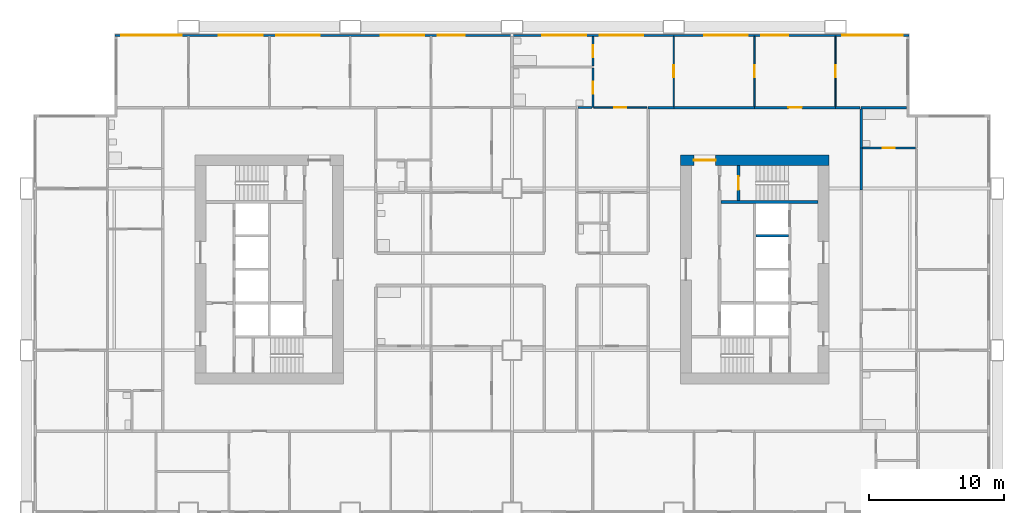
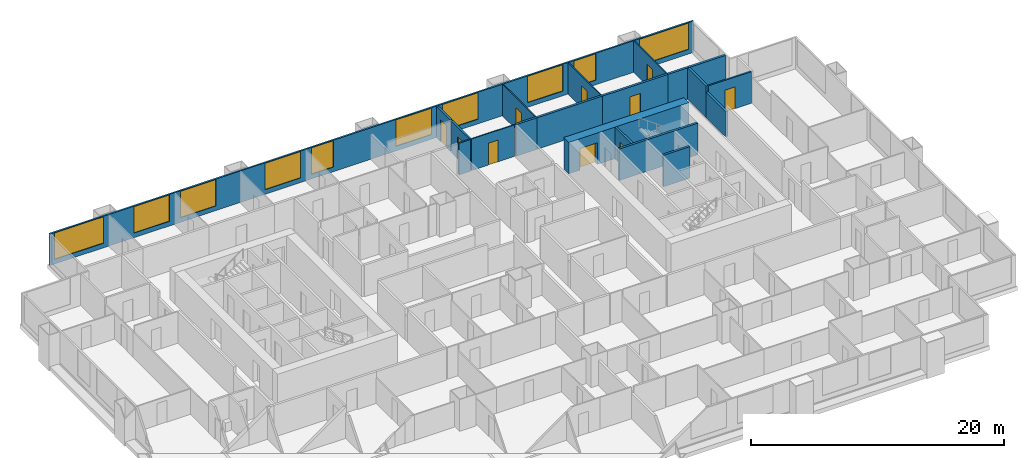
# One storey, part 9 of 13: 20 walls, 10 doors, 10 windows, 20 openings.
"""IFC4 building model written with IfcOpenShell, lengths in metres."""

from ifc_helpers import new_model, si_unit, direction, frame, frame_2d, origin, place, context, subcontext, project, spatial, rectangle, extrude, material, layer, layer_set, type_object, element, fill, save


model = new_model("IFC4")

# Units and contexts
model_context = context("Model", 3, precision=1e-05, world=origin(), true_north=direction((0.0, 1.0)))
body_context = subcontext(model_context, "Body", "Model", "MODEL_VIEW")
ifc_project = project(units=[si_unit("LENGTHUNIT", "METRE"), si_unit("AREAUNIT", "SQUARE_METRE"), si_unit("VOLUMEUNIT", "CUBIC_METRE"), si_unit("PLANEANGLEUNIT", "RADIAN"), si_unit("MASSUNIT", "GRAM", prefix="KILO")], contexts=[model_context])

# Site, building, storey
site_placement = place(None, origin())
site = spatial("IfcSite", under=ifc_project, at=site_placement, CompositionType="ELEMENT")
building_placement = place(site_placement, origin())
building = spatial("IfcBuilding", under=site, at=building_placement, Name="Kitamizu Gate Tower and Museum", CompositionType="ELEMENT")
storey_placement = place(building_placement, frame((0.0, 0.0, 88.64990234375)))
storey = spatial("IfcBuildingStorey", under=building, at=storey_placement, Name="L22", CompositionType="ELEMENT", Elevation=88.64990234375)

# Wall, opening, door
ifc_material_1 = material(Name="Concrete Fc60", Category="concrete")
ifc_layer_1 = layer(ifc_material_1, 0.800048828125)
ifc_layer_set_1 = layer_set([ifc_layer_1], Name="Concrete Fc60")
wall_type_1 = type_object("IfcWallType", Name="Core wall 800", PredefinedType="SHEAR", material=ifc_layer_set_1)
wall_1_placement = place(storey_placement, frame((59.5, 38.10009765625, 0.0), z_axis=(0.0, 0.0, 1.0), x_axis=(-1.0, 0.0, 0.0)))
wall_1 = element("IfcWall", 1, at=wall_1_placement, inside=storey, type_object=wall_type_1, Name="Core wall EN", PredefinedType="SHEAR", context=body_context, shape_type="SweptSolid", body=[
    extrude(rectangle(XDim=11.0, YDim=0.800048828125, at=frame_2d((5.5, 0.0))), origin(), (0.0, 0.0, 1.0), 3.050048828125),
])
opening_1_placement = place(wall_1_placement, frame((8.39990234375, 0.0, 0.0)))
opening_1 = element("IfcOpeningElement", 2, at=opening_1_placement, cuts=wall_1, Name="Opening L22-093", PredefinedType="OPENING", context=body_context, shape_type="SweptSolid", body=[
    extrude(rectangle(XDim=1.60009765625, YDim=2.10009765625, at=frame_2d((0.800048828125, 1.050048828125))), frame((0.0, 0.41015625, 0.0), z_axis=(0.0, -1.0, 0.0), x_axis=(1.0, 0.0, 0.0)), (0.0, 0.0, 1.0), 0.820068359375),
])
ifc_material_2 = material(Name="Timber door set", Category="wood")
door_type_1 = type_object("IfcDoorType", Name="Entrance door 1600", OperationType="DOUBLE_DOOR_SINGLE_SWING", PredefinedType="DOOR", material=ifc_material_2)
door_1_placement = place(opening_1_placement, origin())
door_1 = element("IfcDoor", 3, at=door_1_placement, inside=storey, type_object=door_type_1, Name="Lobby door L22-093", OperationType="DOUBLE_DOOR_SINGLE_SWING", OverallHeight=2.10009765625, OverallWidth=1.60009765625, PredefinedType="DOOR", context=body_context, shape_type="SweptSolid", body=[
    extrude(rectangle(XDim=1.60009765625, YDim=2.10009765625, at=frame_2d((0.800048828125, 1.050048828125))), frame((0.0, 0.02490234375, 0.0), z_axis=(0.0, -1.0, 0.0), x_axis=(1.0, 0.0, 0.0)), (0.0, 0.0, 1.0), 0.050048828125),
])
fill(opening_1, door_1)

ifc_material_3 = material(Name="Gypsum board on galvanised stud")
ifc_layer_2 = layer(ifc_material_3, 0.10009765625)
ifc_layer_set_2 = layer_set([ifc_layer_2], Name="Gypsum board on galvanised stud")
wall_type_2 = type_object("IfcWallType", Name="Partition 100 NOT RATED", PredefinedType="PARTITIONING", material=ifc_layer_set_2)
wall_2_placement = place(storey_placement, frame((48.0, 42.10009765625, 0.0), z_axis=(0.0, 0.0, 1.0), x_axis=(0.0, 1.0, 0.0)))
wall_2 = element("IfcWall", 4, at=wall_2_placement, inside=storey, type_object=wall_type_2, Name="Partition L22-193", PredefinedType="PARTITIONING", context=body_context, shape_type="SweptSolid", body=[
    extrude(rectangle(XDim=5.179931640625, YDim=0.10009765625, at=frame_2d((2.58984375, 0.0))), origin(), (0.0, 0.0, 1.0), 3.050048828125),
])
opening_2_placement = place(wall_2_placement, frame((2.139892578125, 0.0, 0.0)))
opening_2 = element("IfcOpeningElement", 5, at=opening_2_placement, cuts=wall_2, Name="Opening L22-069", PredefinedType="OPENING", context=body_context, shape_type="SweptSolid", body=[
    extrude(rectangle(XDim=0.89990234375, YDim=2.10009765625, at=frame_2d((0.449951171875, 1.050048828125))), frame((0.0, 0.06005859375, 0.0), z_axis=(0.0, -1.0, 0.0), x_axis=(1.0, 0.0, 0.0)), (0.0, 0.0, 1.0), 0.1201171875),
])
ifc_material_4 = material(Name="Timber door set", Category="wood")
door_type_2 = type_object("IfcDoorType", Name="Room door 900", OperationType="NOTDEFINED", PredefinedType="DOOR", material=ifc_material_4)
door_2_placement = place(opening_2_placement, origin())
door_2 = element("IfcDoor", 6, at=door_2_placement, inside=storey, type_object=door_type_2, Name="Door L22-069", OperationType="SINGLE_SWING_LEFT", OverallHeight=2.10009765625, OverallWidth=0.89990234375, PredefinedType="DOOR", context=body_context, shape_type="SweptSolid", body=[
    extrude(rectangle(XDim=0.89990234375, YDim=2.10009765625, at=frame_2d((0.449951171875, 1.050048828125))), frame((0.0, 0.02490234375, 0.0), z_axis=(0.0, -1.0, 0.0), x_axis=(1.0, 0.0, 0.0)), (0.0, 0.0, 1.0), 0.050048828125),
])
fill(opening_2, door_2)

wall_3_placement = place(storey_placement, frame((42.074951171875, 42.0, 0.0), z_axis=(0.0, 0.0, 1.0), x_axis=(1.0, 0.0, 0.0)))
wall_3 = element("IfcWall", 7, at=wall_3_placement, inside=storey, type_object=wall_type_2, Name="Partition L22-194", PredefinedType="PARTITIONING", context=body_context, shape_type="SweptSolid", body=[
    extrude(rectangle(XDim=3.925048828125, YDim=0.10009765625, at=frame_2d((1.96240234375, 0.0))), origin(), (0.0, 0.0, 1.0), 3.050048828125),
])
opening_3_placement = place(wall_3_placement, frame((1.512451171875, 0.0, 0.0)))
opening_3 = element("IfcOpeningElement", 8, at=opening_3_placement, cuts=wall_3, Name="Opening L22-070", PredefinedType="OPENING", context=body_context, shape_type="SweptSolid", body=[
    extrude(rectangle(XDim=0.89990234375, YDim=2.10009765625, at=frame_2d((0.449951171875, 1.050048828125))), frame((0.0, 0.06005859375, 0.0), z_axis=(0.0, -1.0, 0.0), x_axis=(1.0, 0.0, 0.0)), (0.0, 0.0, 1.0), 0.1201171875),
])
door_3_placement = place(opening_3_placement, origin())
door_3 = element("IfcDoor", 9, at=door_3_placement, inside=storey, type_object=door_type_2, Name="Door L22-070", OperationType="SINGLE_SWING_RIGHT", OverallHeight=2.10009765625, OverallWidth=0.89990234375, PredefinedType="DOOR", context=body_context, shape_type="SweptSolid", body=[
    extrude(rectangle(XDim=0.89990234375, YDim=2.10009765625, at=frame_2d((0.449951171875, 1.050048828125))), frame((0.0, 0.02490234375, 0.0), z_axis=(0.0, -1.0, 0.0), x_axis=(1.0, 0.0, 0.0)), (0.0, 0.0, 1.0), 0.050048828125),
])
fill(opening_3, door_3)

wall_4_placement = place(storey_placement, frame((54.0, 42.10009765625, 0.0), z_axis=(0.0, 0.0, 1.0), x_axis=(0.0, 1.0, 0.0)))
wall_4 = element("IfcWall", 10, at=wall_4_placement, inside=storey, type_object=wall_type_2, Name="Partition L22-196", PredefinedType="PARTITIONING", context=body_context, shape_type="SweptSolid", body=[
    extrude(rectangle(XDim=5.179931640625, YDim=0.10009765625, at=frame_2d((2.58984375, 0.0))), origin(), (0.0, 0.0, 1.0), 3.050048828125),
])
opening_4_placement = place(wall_4_placement, frame((2.139892578125, 0.0, 0.0)))
opening_4 = element("IfcOpeningElement", 11, at=opening_4_placement, cuts=wall_4, Name="Opening L22-068", PredefinedType="OPENING", context=body_context, shape_type="SweptSolid", body=[
    extrude(rectangle(XDim=0.89990234375, YDim=2.10009765625, at=frame_2d((0.449951171875, 1.050048828125))), frame((0.0, 0.06005859375, 0.0), z_axis=(0.0, -1.0, 0.0), x_axis=(1.0, 0.0, 0.0)), (0.0, 0.0, 1.0), 0.1201171875),
])
door_4_placement = place(opening_4_placement, origin())
door_4 = element("IfcDoor", 12, at=door_4_placement, inside=storey, type_object=door_type_2, Name="Door L22-068", OperationType="SINGLE_SWING_RIGHT", OverallHeight=2.10009765625, OverallWidth=0.89990234375, PredefinedType="DOOR", context=body_context, shape_type="SweptSolid", body=[
    extrude(rectangle(XDim=0.89990234375, YDim=2.10009765625, at=frame_2d((0.449951171875, 1.050048828125))), frame((0.0, 0.02490234375, 0.0), z_axis=(0.0, -1.0, 0.0), x_axis=(1.0, 0.0, 0.0)), (0.0, 0.0, 1.0), 0.050048828125),
])
fill(opening_4, door_4)

wall_5_placement = place(storey_placement, frame((60.0, 42.10009765625, 0.0), z_axis=(0.0, 0.0, 1.0), x_axis=(0.0, 1.0, 0.0)))
wall_5 = element("IfcWall", 13, at=wall_5_placement, inside=storey, type_object=wall_type_2, Name="Partition L22-198", PredefinedType="PARTITIONING", context=body_context, shape_type="SweptSolid", body=[
    extrude(rectangle(XDim=5.179931640625, YDim=0.10009765625, at=frame_2d((2.58984375, 0.0))), origin(), (0.0, 0.0, 1.0), 3.050048828125),
])
opening_5_placement = place(wall_5_placement, frame((2.139892578125, 0.0, 0.0)))
opening_5 = element("IfcOpeningElement", 14, at=opening_5_placement, cuts=wall_5, Name="Opening L22-067", PredefinedType="OPENING", context=body_context, shape_type="SweptSolid", body=[
    extrude(rectangle(XDim=0.89990234375, YDim=2.10009765625, at=frame_2d((0.449951171875, 1.050048828125))), frame((0.0, 0.06005859375, 0.0), z_axis=(0.0, -1.0, 0.0), x_axis=(1.0, 0.0, 0.0)), (0.0, 0.0, 1.0), 0.1201171875),
])
door_5_placement = place(opening_5_placement, frame((0.89990234375, 0.0, 0.0), x_axis=(-1.0, 0.0, 0.0)))
door_5 = element("IfcDoor", 15, at=door_5_placement, inside=storey, type_object=door_type_2, Name="Door L22-067", OperationType="SINGLE_SWING_RIGHT", OverallHeight=2.10009765625, OverallWidth=0.89990234375, PredefinedType="DOOR", context=body_context, shape_type="SweptSolid", body=[
    extrude(rectangle(XDim=0.89990234375, YDim=2.10009765625, at=frame_2d((0.449951171875, 1.050048828125))), frame((0.0, 0.02490234375, 0.0), z_axis=(0.0, -1.0, 0.0), x_axis=(1.0, 0.0, 0.0)), (0.0, 0.0, 1.0), 0.050048828125),
])
fill(opening_5, door_5)

ifc_material_5 = material(Name="Gypsum board on galvanised stud")
ifc_layer_3 = layer(ifc_material_5, 0.14990234375)
ifc_layer_set_3 = layer_set([ifc_layer_3], Name="Gypsum board on galvanised stud")
wall_type_3 = type_object("IfcWallType", Name="Partition 150", PredefinedType="PARTITIONING", material=ifc_layer_set_3)
wall_6_placement = place(storey_placement, frame((65.925048828125, 39.0, 0.0), z_axis=(0.0, 0.0, 1.0), x_axis=(-1.0, 0.0, 0.0)))
wall_6 = element("IfcWall", 16, at=wall_6_placement, inside=storey, type_object=wall_type_3, Name="Partition L22-183", PredefinedType="PARTITIONING", context=body_context, shape_type="SweptSolid", body=[
    extrude(rectangle(XDim=3.925048828125, YDim=0.14990234375, at=frame_2d((1.96240234375, 0.0))), origin(), (0.0, 0.0, 1.0), 3.050048828125),
])
opening_6_placement = place(wall_6_placement, frame((1.512451171875, 0.0, 0.0)))
opening_6 = element("IfcOpeningElement", 17, at=opening_6_placement, cuts=wall_6, Name="Opening L22-065", PredefinedType="OPENING", context=body_context, shape_type="SweptSolid", body=[
    extrude(rectangle(XDim=0.89990234375, YDim=2.10009765625, at=frame_2d((0.449951171875, 1.050048828125))), frame((0.0, 0.0849609375, 0.0), z_axis=(0.0, -1.0, 0.0), x_axis=(1.0, 0.0, 0.0)), (0.0, 0.0, 1.0), 0.169921875),
])
ifc_material_6 = material(Name="Timber door set", Category="wood")
door_type_3 = type_object("IfcDoorType", Name="Bathroom door 900", OperationType="NOTDEFINED", PredefinedType="DOOR", material=ifc_material_6)
door_6_placement = place(opening_6_placement, frame((0.89990234375, 0.0, 0.0), x_axis=(-1.0, 0.0, 0.0)))
door_6 = element("IfcDoor", 18, at=door_6_placement, inside=storey, type_object=door_type_3, Name="Bathroom door L22-065", OperationType="SINGLE_SWING_RIGHT", OverallHeight=2.10009765625, OverallWidth=0.89990234375, PredefinedType="DOOR", context=body_context, shape_type="SweptSolid", body=[
    extrude(rectangle(XDim=0.89990234375, YDim=2.10009765625, at=frame_2d((0.449951171875, 1.050048828125))), frame((0.0, 0.02490234375, 0.0), z_axis=(0.0, -1.0, 0.0), x_axis=(1.0, 0.0, 0.0)), (0.0, 0.0, 1.0), 0.050048828125),
])
fill(opening_6, door_6)

wall_7_placement = place(storey_placement, frame((42.0, 42.0, 0.0), z_axis=(0.0, 0.0, 1.0), x_axis=(0.0, 1.0, 0.0)))
wall_7 = element("IfcWall", 19, at=wall_7_placement, inside=storey, type_object=wall_type_3, Name="Partition L22-189", PredefinedType="PARTITIONING", context=body_context, shape_type="SweptSolid", body=[
    extrude(rectangle(XDim=2.925048828125, YDim=0.14990234375, at=frame_2d((1.46240234375, 0.0))), origin(), (0.0, 0.0, 1.0), 3.050048828125),
])
opening_7_placement = place(wall_7_placement, frame((1.012451171875, 0.0, 0.0)))
opening_7 = element("IfcOpeningElement", 20, at=opening_7_placement, cuts=wall_7, Name="Opening L22-073", PredefinedType="OPENING", context=body_context, shape_type="SweptSolid", body=[
    extrude(rectangle(XDim=0.89990234375, YDim=2.10009765625, at=frame_2d((0.449951171875, 1.050048828125))), frame((0.0, 0.0849609375, 0.0), z_axis=(0.0, -1.0, 0.0), x_axis=(1.0, 0.0, 0.0)), (0.0, 0.0, 1.0), 0.169921875),
])
door_7_placement = place(opening_7_placement, origin())
door_7 = element("IfcDoor", 21, at=door_7_placement, inside=storey, type_object=door_type_3, Name="Bathroom door L22-073", OperationType="SINGLE_SWING_LEFT", OverallHeight=2.10009765625, OverallWidth=0.89990234375, PredefinedType="DOOR", context=body_context, shape_type="SweptSolid", body=[
    extrude(rectangle(XDim=0.89990234375, YDim=2.10009765625, at=frame_2d((0.449951171875, 1.050048828125))), frame((0.0, 0.02490234375, 0.0), z_axis=(0.0, -1.0, 0.0), x_axis=(1.0, 0.0, 0.0)), (0.0, 0.0, 1.0), 0.050048828125),
])
fill(opening_7, door_7)

# Wall
wall_8_placement = place(storey_placement, frame((40.89990234375, 42.0, 0.0), z_axis=(0.0, 0.0, 1.0), x_axis=(1.0, 0.0, 0.0)))
element("IfcWall", 22, at=wall_8_placement, inside=storey, type_object=wall_type_3, Name="Partition L22-190", PredefinedType="PARTITIONING", context=body_context, shape_type="SweptSolid", body=[
    extrude(rectangle(XDim=1.025146484375, YDim=0.14990234375, at=frame_2d((0.5126953125, 0.0))), origin(), (0.0, 0.0, 1.0), 3.050048828125),
])

# Wall, opening, door
wall_9_placement = place(storey_placement, frame((42.0, 45.074951171875, 0.0), z_axis=(0.0, 0.0, 1.0), x_axis=(0.0, 1.0, 0.0)))
wall_9 = element("IfcWall", 23, at=wall_9_placement, inside=storey, type_object=wall_type_3, Name="Partition L22-192", PredefinedType="PARTITIONING", context=body_context, shape_type="SweptSolid", body=[
    extrude(rectangle(XDim=2.205078125, YDim=0.14990234375, at=frame_2d((1.1025390625, 0.0))), origin(), (0.0, 0.0, 1.0), 3.050048828125),
])
opening_8_placement = place(wall_9_placement, frame((0.652587890625, 0.0, 0.0)))
opening_8 = element("IfcOpeningElement", 24, at=opening_8_placement, cuts=wall_9, Name="Opening L22-074", PredefinedType="OPENING", context=body_context, shape_type="SweptSolid", body=[
    extrude(rectangle(XDim=0.89990234375, YDim=2.10009765625, at=frame_2d((0.449951171875, 1.050048828125))), frame((0.0, 0.0849609375, 0.0), z_axis=(0.0, -1.0, 0.0), x_axis=(1.0, 0.0, 0.0)), (0.0, 0.0, 1.0), 0.169921875),
])
door_8_placement = place(opening_8_placement, origin())
door_8 = element("IfcDoor", 25, at=door_8_placement, inside=storey, type_object=door_type_3, Name="Bathroom door L22-074", OperationType="SINGLE_SWING_RIGHT", OverallHeight=2.10009765625, OverallWidth=0.89990234375, PredefinedType="DOOR", context=body_context, shape_type="SweptSolid", body=[
    extrude(rectangle(XDim=0.89990234375, YDim=2.10009765625, at=frame_2d((0.449951171875, 1.050048828125))), frame((0.0, 0.02490234375, 0.0), z_axis=(0.0, -1.0, 0.0), x_axis=(1.0, 0.0, 0.0)), (0.0, 0.0, 1.0), 0.050048828125),
])
fill(opening_8, door_8)

# Walls
ifc_material_7 = material(Name="Gypsum board on galvanised stud")
ifc_layer_4 = layer(ifc_material_7, 0.199951171875)
ifc_layer_set_4 = layer_set([ifc_layer_4], Name="Gypsum board on galvanised stud")
wall_type_4 = type_object("IfcWallType", Name="Partition 200", PredefinedType="PARTITIONING", material=ifc_layer_set_4)
wall_10_placement = place(storey_placement, frame((61.89990234375, 39.0, 0.0), z_axis=(0.0, 0.0, 1.0), x_axis=(0.0, -1.0, 0.0)))
element("IfcWall", 26, at=wall_10_placement, inside=storey, type_object=wall_type_4, Name="Partition L22-184", PredefinedType="PARTITIONING", context=body_context, shape_type="SweptSolid", body=[
    extrude(rectangle(XDim=3.10009765625, YDim=0.199951171875, at=frame_2d((1.550048828125, 0.0))), origin(), (0.0, 0.0, 1.0), 2.4501953125),
])
wall_11_placement = place(storey_placement, frame((65.280029296875, 42.0, 0.0), z_axis=(0.0, 0.0, 1.0), x_axis=(-1.0, 0.0, 0.0)))
element("IfcWall", 27, at=wall_11_placement, inside=storey, type_object=wall_type_4, Name="Partition L22-186", PredefinedType="PARTITIONING", context=body_context, shape_type="SweptSolid", body=[
    extrude(rectangle(XDim=3.380126953125, YDim=0.199951171875, at=frame_2d((1.68994140625, 0.0))), origin(), (0.0, 0.0, 1.0), 3.050048828125),
])
wall_12_placement = place(storey_placement, frame((61.89990234375, 41.89990234375, 0.0), z_axis=(0.0, 0.0, 1.0), x_axis=(0.0, -1.0, 0.0)))
element("IfcWall", 28, at=wall_12_placement, inside=storey, type_object=wall_type_4, Name="Partition L22-187", PredefinedType="PARTITIONING", context=body_context, shape_type="SweptSolid", body=[
    extrude(rectangle(XDim=2.89990234375, YDim=0.199951171875, at=frame_2d((1.449951171875, 0.0))), origin(), (0.0, 0.0, 1.0), 3.050048828125),
])
wall_13_placement = place(storey_placement, frame((46.10009765625, 42.0, 0.0), z_axis=(0.0, 0.0, 1.0), x_axis=(1.0, 0.0, 0.0)))
element("IfcWall", 29, at=wall_13_placement, inside=storey, type_object=wall_type_4, Name="Partition L22-195", PredefinedType="PARTITIONING", context=body_context, shape_type="SweptSolid", body=[
    extrude(rectangle(XDim=1.89990234375, YDim=0.199951171875, at=frame_2d((0.949951171875, 0.0))), origin(), (0.0, 0.0, 1.0), 3.050048828125),
])
wall_14_placement = place(storey_placement, frame((48.0, 42.0, 0.0), z_axis=(0.0, 0.0, 1.0), x_axis=(1.0, 0.0, 0.0)))
element("IfcWall", 30, at=wall_14_placement, inside=storey, type_object=wall_type_4, Name="Partition L22-197", PredefinedType="PARTITIONING", context=body_context, shape_type="SweptSolid", body=[
    extrude(rectangle(XDim=6.0, YDim=0.199951171875, at=frame_2d((3.0, 0.0))), origin(), (0.0, 0.0, 1.0), 3.050048828125),
])

# Wall, opening, door
wall_15_placement = place(storey_placement, frame((54.0, 42.0, 0.0), z_axis=(0.0, 0.0, 1.0), x_axis=(1.0, 0.0, 0.0)))
wall_15 = element("IfcWall", 31, at=wall_15_placement, inside=storey, type_object=wall_type_4, Name="Partition L22-199", PredefinedType="PARTITIONING", context=body_context, shape_type="SweptSolid", body=[
    extrude(rectangle(XDim=6.0, YDim=0.199951171875, at=frame_2d((3.0, 0.0))), origin(), (0.0, 0.0, 1.0), 3.050048828125),
])
opening_9_placement = place(wall_15_placement, frame((2.5, 0.0, 0.0)))
opening_9 = element("IfcOpeningElement", 32, at=opening_9_placement, cuts=wall_15, Name="Opening L22-066", PredefinedType="OPENING", context=body_context, shape_type="SweptSolid", body=[
    extrude(rectangle(XDim=1.0, YDim=2.10009765625, at=frame_2d((0.5, 1.050048828125))), frame((0.0, 0.10986328125, 0.0), z_axis=(0.0, -1.0, 0.0), x_axis=(1.0, 0.0, 0.0)), (0.0, 0.0, 1.0), 0.219970703125),
])
ifc_material_8 = material(Name="Timber door set", Category="wood")
door_type_4 = type_object("IfcDoorType", Name="Flat entrance door 1000", OperationType="NOTDEFINED", PredefinedType="DOOR", material=ifc_material_8)
door_9_placement = place(opening_9_placement, origin())
door_9 = element("IfcDoor", 33, at=door_9_placement, inside=storey, type_object=door_type_4, Name="Flat entrance door L22-066", OperationType="SINGLE_SWING_RIGHT", OverallHeight=2.10009765625, OverallWidth=1.0, PredefinedType="DOOR", context=body_context, shape_type="SweptSolid", body=[
    extrude(rectangle(XDim=1.0, YDim=2.10009765625, at=frame_2d((0.5, 1.050048828125))), frame((0.0, 0.02490234375, 0.0), z_axis=(0.0, -1.0, 0.0), x_axis=(1.0, 0.0, 0.0)), (0.0, 0.0, 1.0), 0.050048828125),
])
fill(opening_9, door_9)

# Walls
wall_16_placement = place(storey_placement, frame((60.0, 42.0, 0.0), z_axis=(0.0, 0.0, 1.0), x_axis=(1.0, 0.0, 0.0)))
element("IfcWall", 34, at=wall_16_placement, inside=storey, type_object=wall_type_4, Name="Partition L22-200", PredefinedType="PARTITIONING", context=body_context, shape_type="SweptSolid", body=[
    extrude(rectangle(XDim=1.800048828125, YDim=0.199951171875, at=frame_2d((0.89990234375, 0.0))), origin(), (0.0, 0.0, 1.0), 3.050048828125),
])
ifc_material_9 = material(Name="Concrete Fc42", Category="concrete")
ifc_layer_5 = layer(ifc_material_9, 0.199951171875)
ifc_layer_set_5 = layer_set([ifc_layer_5], Name="Concrete Fc42")
wall_type_5 = type_object("IfcWallType", Name="Shaft wall 200", PredefinedType="SOLIDWALL", material=ifc_layer_set_5)
wall_17_placement = place(storey_placement, frame((58.699951171875, 35.0, 0.0), z_axis=(0.0, 0.0, 1.0), x_axis=(-1.0, 0.0, 0.0)))
element("IfcWall", 35, at=wall_17_placement, inside=storey, type_object=wall_type_5, Name="Shaft wall ENB", PredefinedType="SOLIDWALL", context=body_context, shape_type="SweptSolid", body=[
    extrude(rectangle(XDim=7.199951171875, YDim=0.199951171875, at=frame_2d((3.60009765625, 0.0))), origin(), (0.0, 0.0, 1.0), 3.050048828125),
])

# Wall, opening, door
wall_18_placement = place(storey_placement, frame((52.800048828125, 35.10009765625, 0.0), z_axis=(0.0, 0.0, 1.0), x_axis=(0.0, 1.0, 0.0)))
wall_18 = element("IfcWall", 36, at=wall_18_placement, inside=storey, type_object=wall_type_5, Name="Shaft wall ENZ", PredefinedType="SOLIDWALL", context=body_context, shape_type="SweptSolid", body=[
    extrude(rectangle(XDim=2.599853515625, YDim=0.199951171875, at=frame_2d((1.2998046875, 0.0))), origin(), (0.0, 0.0, 1.0), 3.050048828125),
])
opening_10_placement = place(wall_18_placement, frame((0.800048828125, 0.0, 0.0)))
opening_10 = element("IfcOpeningElement", 37, at=opening_10_placement, cuts=wall_18, Name="Opening L22-089", PredefinedType="OPENING", context=body_context, shape_type="SweptSolid", body=[
    extrude(rectangle(XDim=1.0, YDim=2.10009765625, at=frame_2d((0.5, 1.050048828125))), frame((0.0, 0.10986328125, 0.0), z_axis=(0.0, -1.0, 0.0), x_axis=(1.0, 0.0, 0.0)), (0.0, 0.0, 1.0), 0.219970703125),
])
ifc_material_10 = material(Name="Hollow metal door set")
door_type_5 = type_object("IfcDoorType", Name="Fire door 1000", OperationType="NOTDEFINED", PredefinedType="DOOR", material=ifc_material_10)
door_10_placement = place(opening_10_placement, frame((1.0, 0.0, 0.0), x_axis=(-1.0, 0.0, 0.0)))
door_10 = element("IfcDoor", 38, at=door_10_placement, inside=storey, type_object=door_type_5, Name="Stair door L22-089", OperationType="SINGLE_SWING_LEFT", OverallHeight=2.10009765625, OverallWidth=1.0, PredefinedType="DOOR", context=body_context, shape_type="SweptSolid", body=[
    extrude(rectangle(XDim=1.0, YDim=2.10009765625, at=frame_2d((0.5, 1.050048828125))), frame((0.0, 0.02490234375, 0.0), z_axis=(0.0, -1.0, 0.0), x_axis=(1.0, 0.0, 0.0)), (0.0, 0.0, 1.0), 0.050048828125),
])
fill(opening_10, door_10)

# Wall
wall_19_placement = place(storey_placement, frame((56.5, 32.5, 0.0), z_axis=(0.0, 0.0, 1.0), x_axis=(-1.0, 0.0, 0.0)))
element("IfcWall", 39, at=wall_19_placement, inside=storey, type_object=wall_type_5, Name="Shaft wall EDVW2", PredefinedType="SOLIDWALL", context=body_context, shape_type="SweptSolid", body=[
    extrude(rectangle(XDim=2.39990234375, YDim=0.199951171875, at=frame_2d((1.199951171875, 0.0))), origin(), (0.0, 0.0, 1.0), 3.050048828125),
])

# Wall, openings, windows
ifc_material_11 = material(Name="Bronze anodised aluminium frame with insulated spandrel and tinted glass", Category="aluminium")
ifc_layer_6 = layer(ifc_material_11, 0.14990234375)
ifc_layer_set_6 = layer_set([ifc_layer_6], Name="Bronze anodised aluminium frame with insulated spandrel and tinted glass")
wall_type_6 = type_object("IfcWallType", Name="WINDOW WALL 150 BRONZE FRAME EI 30", PredefinedType="ELEMENTEDWALL", material=ifc_layer_set_6)
wall_20_placement = place(storey_placement, frame((6.56005859375, 47.364990234375, 0.0), z_axis=(0.0, 0.0, 1.0), x_axis=(1.0, 0.0, 0.0)))
wall_20 = element("IfcWall", 40, at=wall_20_placement, inside=storey, type_object=wall_type_6, Name="Window wall north L22", PredefinedType="ELEMENTEDWALL", context=body_context, shape_type="SweptSolid", body=[
    extrude(rectangle(XDim=58.8798828125, YDim=0.14990234375, at=frame_2d((29.43994140625, 0.0))), origin(), (0.0, 0.0, 1.0), 3.050048828125),
])
opening_11_placement = place(wall_20_placement, frame((0.43994140625, 0.0, 0.449951171875)))
opening_11 = element("IfcOpeningElement", 41, at=opening_11_placement, cuts=wall_20, Name="Opening W15", PredefinedType="OPENING", context=body_context, shape_type="SweptSolid", body=[
    extrude(rectangle(XDim=4.5, YDim=2.550048828125, at=frame_2d((2.25, 1.27490234375))), frame((0.0, 0.0849609375, 0.0), z_axis=(0.0, -1.0, 0.0), x_axis=(1.0, 0.0, 0.0)), (0.0, 0.0, 1.0), 0.169921875),
])
opening_12_placement = place(wall_20_placement, frame((7.68994140625, 0.0, 0.449951171875)))
opening_12 = element("IfcOpeningElement", 42, at=opening_12_placement, cuts=wall_20, Name="Opening W34", PredefinedType="OPENING", context=body_context, shape_type="SweptSolid", body=[
    extrude(rectangle(XDim=3.25, YDim=2.550048828125, at=frame_2d((1.625, 1.27490234375))), frame((0.0, 0.0849609375, 0.0), z_axis=(0.0, -1.0, 0.0), x_axis=(1.0, 0.0, 0.0)), (0.0, 0.0, 1.0), 0.169921875),
])
opening_13_placement = place(wall_20_placement, frame((11.93994140625, 0.0, 0.449951171875)))
opening_13 = element("IfcOpeningElement", 43, at=opening_13_placement, cuts=wall_20, Name="Opening W34", PredefinedType="OPENING", context=body_context, shape_type="SweptSolid", body=[
    extrude(rectangle(XDim=3.25, YDim=2.550048828125, at=frame_2d((1.625, 1.27490234375))), frame((0.0, 0.0849609375, 0.0), z_axis=(0.0, -1.0, 0.0), x_axis=(1.0, 0.0, 0.0)), (0.0, 0.0, 1.0), 0.169921875),
])
opening_14_placement = place(wall_20_placement, frame((19.68994140625, 0.0, 0.449951171875)))
opening_14 = element("IfcOpeningElement", 44, at=opening_14_placement, cuts=wall_20, Name="Opening W34", PredefinedType="OPENING", context=body_context, shape_type="SweptSolid", body=[
    extrude(rectangle(XDim=3.25, YDim=2.550048828125, at=frame_2d((1.625, 1.27490234375))), frame((0.0, 0.0849609375, 0.0), z_axis=(0.0, -1.0, 0.0), x_axis=(1.0, 0.0, 0.0)), (0.0, 0.0, 1.0), 0.169921875),
])
opening_15_placement = place(wall_20_placement, frame((23.93994140625, 0.0, 0.449951171875)))
opening_15 = element("IfcOpeningElement", 45, at=opening_15_placement, cuts=wall_20, Name="Opening W2", PredefinedType="OPENING", context=body_context, shape_type="SweptSolid", body=[
    extrude(rectangle(XDim=2.0, YDim=2.550048828125, at=frame_2d((1.0, 1.27490234375))), frame((0.0, 0.0849609375, 0.0), z_axis=(0.0, -1.0, 0.0), x_axis=(1.0, 0.0, 0.0)), (0.0, 0.0, 1.0), 0.169921875),
])
opening_16_placement = place(wall_20_placement, frame((31.68994140625, 0.0, 0.449951171875)))
opening_16 = element("IfcOpeningElement", 46, at=opening_16_placement, cuts=wall_20, Name="Opening W34", PredefinedType="OPENING", context=body_context, shape_type="SweptSolid", body=[
    extrude(rectangle(XDim=3.25, YDim=2.550048828125, at=frame_2d((1.625, 1.27490234375))), frame((0.0, 0.0849609375, 0.0), z_axis=(0.0, -1.0, 0.0), x_axis=(1.0, 0.0, 0.0)), (0.0, 0.0, 1.0), 0.169921875),
])
opening_17_placement = place(wall_20_placement, frame((35.93994140625, 0.0, 0.449951171875)))
opening_17 = element("IfcOpeningElement", 47, at=opening_17_placement, cuts=wall_20, Name="Opening W34", PredefinedType="OPENING", context=body_context, shape_type="SweptSolid", body=[
    extrude(rectangle(XDim=3.25, YDim=2.550048828125, at=frame_2d((1.625, 1.27490234375))), frame((0.0, 0.0849609375, 0.0), z_axis=(0.0, -1.0, 0.0), x_axis=(1.0, 0.0, 0.0)), (0.0, 0.0, 1.0), 0.169921875),
])
opening_18_placement = place(wall_20_placement, frame((43.68994140625, 0.0, 0.449951171875)))
opening_18 = element("IfcOpeningElement", 48, at=opening_18_placement, cuts=wall_20, Name="Opening W34", PredefinedType="OPENING", context=body_context, shape_type="SweptSolid", body=[
    extrude(rectangle(XDim=3.25, YDim=2.550048828125, at=frame_2d((1.625, 1.27490234375))), frame((0.0, 0.0849609375, 0.0), z_axis=(0.0, -1.0, 0.0), x_axis=(1.0, 0.0, 0.0)), (0.0, 0.0, 1.0), 0.169921875),
])
opening_19_placement = place(wall_20_placement, frame((47.93994140625, 0.0, 0.449951171875)))
opening_19 = element("IfcOpeningElement", 49, at=opening_19_placement, cuts=wall_20, Name="Opening W2", PredefinedType="OPENING", context=body_context, shape_type="SweptSolid", body=[
    extrude(rectangle(XDim=2.0, YDim=2.550048828125, at=frame_2d((1.0, 1.27490234375))), frame((0.0, 0.0849609375, 0.0), z_axis=(0.0, -1.0, 0.0), x_axis=(1.0, 0.0, 0.0)), (0.0, 0.0, 1.0), 0.169921875),
])
opening_20_placement = place(wall_20_placement, frame((53.93994140625, 0.0, 0.449951171875)))
opening_20 = element("IfcOpeningElement", 50, at=opening_20_placement, cuts=wall_20, Name="Opening W15", PredefinedType="OPENING", context=body_context, shape_type="SweptSolid", body=[
    extrude(rectangle(XDim=4.5, YDim=2.550048828125, at=frame_2d((2.25, 1.27490234375))), frame((0.0, 0.0849609375, 0.0), z_axis=(0.0, -1.0, 0.0), x_axis=(1.0, 0.0, 0.0)), (0.0, 0.0, 1.0), 0.169921875),
])
ifc_material_12 = material(Name="Bronze anodised aluminium frame, tinted triple glazing", Category="aluminium")
window_type_1 = type_object("IfcWindowType", Name="WINDOW 2000 x 2550 SILL 450", PartitioningType="SINGLE_PANEL", PredefinedType="WINDOW", material=ifc_material_12)
window_1_placement = place(opening_15_placement, origin())
window_1 = element("IfcWindow", 51, at=window_1_placement, inside=storey, type_object=window_type_1, Name="Window W2 L22", OverallHeight=2.550048828125, OverallWidth=2.0, PartitioningType="SINGLE_PANEL", PredefinedType="WINDOW", context=body_context, shape_type="SweptSolid", body=[
    extrude(rectangle(XDim=2.0, YDim=2.550048828125, at=frame_2d((1.0, 1.27490234375))), frame((0.0, 0.030029296875, 0.0), z_axis=(0.0, -1.0, 0.0), x_axis=(1.0, 0.0, 0.0)), (0.0, 0.0, 1.0), 0.06005859375),
])
fill(opening_15, window_1)
window_2_placement = place(opening_19_placement, origin())
window_2 = element("IfcWindow", 52, at=window_2_placement, inside=storey, type_object=window_type_1, Name="Window W2 L22", OverallHeight=2.550048828125, OverallWidth=2.0, PartitioningType="SINGLE_PANEL", PredefinedType="WINDOW", context=body_context, shape_type="SweptSolid", body=[
    extrude(rectangle(XDim=2.0, YDim=2.550048828125, at=frame_2d((1.0, 1.27490234375))), frame((0.0, 0.030029296875, 0.0), z_axis=(0.0, -1.0, 0.0), x_axis=(1.0, 0.0, 0.0)), (0.0, 0.0, 1.0), 0.06005859375),
])
fill(opening_19, window_2)
ifc_material_13 = material(Name="Bronze anodised aluminium frame, tinted triple glazing", Category="aluminium")
window_type_2 = type_object("IfcWindowType", Name="WINDOW 3250 x 2550 SILL 450", PartitioningType="SINGLE_PANEL", PredefinedType="WINDOW", material=ifc_material_13)
window_3_placement = place(opening_12_placement, origin())
window_3 = element("IfcWindow", 53, at=window_3_placement, inside=storey, type_object=window_type_2, Name="Window W34 L22", OverallHeight=2.550048828125, OverallWidth=3.25, PartitioningType="SINGLE_PANEL", PredefinedType="WINDOW", context=body_context, shape_type="SweptSolid", body=[
    extrude(rectangle(XDim=3.25, YDim=2.550048828125, at=frame_2d((1.625, 1.27490234375))), frame((0.0, 0.030029296875, 0.0), z_axis=(0.0, -1.0, 0.0), x_axis=(1.0, 0.0, 0.0)), (0.0, 0.0, 1.0), 0.06005859375),
])
fill(opening_12, window_3)
window_4_placement = place(opening_13_placement, origin())
window_4 = element("IfcWindow", 54, at=window_4_placement, inside=storey, type_object=window_type_2, Name="Window W34 L22", OverallHeight=2.550048828125, OverallWidth=3.25, PartitioningType="SINGLE_PANEL", PredefinedType="WINDOW", context=body_context, shape_type="SweptSolid", body=[
    extrude(rectangle(XDim=3.25, YDim=2.550048828125, at=frame_2d((1.625, 1.27490234375))), frame((0.0, 0.030029296875, 0.0), z_axis=(0.0, -1.0, 0.0), x_axis=(1.0, 0.0, 0.0)), (0.0, 0.0, 1.0), 0.06005859375),
])
fill(opening_13, window_4)
window_5_placement = place(opening_14_placement, origin())
window_5 = element("IfcWindow", 55, at=window_5_placement, inside=storey, type_object=window_type_2, Name="Window W34 L22", OverallHeight=2.550048828125, OverallWidth=3.25, PartitioningType="SINGLE_PANEL", PredefinedType="WINDOW", context=body_context, shape_type="SweptSolid", body=[
    extrude(rectangle(XDim=3.25, YDim=2.550048828125, at=frame_2d((1.625, 1.27490234375))), frame((0.0, 0.030029296875, 0.0), z_axis=(0.0, -1.0, 0.0), x_axis=(1.0, 0.0, 0.0)), (0.0, 0.0, 1.0), 0.06005859375),
])
fill(opening_14, window_5)
window_6_placement = place(opening_16_placement, origin())
window_6 = element("IfcWindow", 56, at=window_6_placement, inside=storey, type_object=window_type_2, Name="Window W34 L22", OverallHeight=2.550048828125, OverallWidth=3.25, PartitioningType="SINGLE_PANEL", PredefinedType="WINDOW", context=body_context, shape_type="SweptSolid", body=[
    extrude(rectangle(XDim=3.25, YDim=2.550048828125, at=frame_2d((1.625, 1.27490234375))), frame((0.0, 0.030029296875, 0.0), z_axis=(0.0, -1.0, 0.0), x_axis=(1.0, 0.0, 0.0)), (0.0, 0.0, 1.0), 0.06005859375),
])
fill(opening_16, window_6)
window_7_placement = place(opening_17_placement, origin())
window_7 = element("IfcWindow", 57, at=window_7_placement, inside=storey, type_object=window_type_2, Name="Window W34 L22", OverallHeight=2.550048828125, OverallWidth=3.25, PartitioningType="SINGLE_PANEL", PredefinedType="WINDOW", context=body_context, shape_type="SweptSolid", body=[
    extrude(rectangle(XDim=3.25, YDim=2.550048828125, at=frame_2d((1.625, 1.27490234375))), frame((0.0, 0.030029296875, 0.0), z_axis=(0.0, -1.0, 0.0), x_axis=(1.0, 0.0, 0.0)), (0.0, 0.0, 1.0), 0.06005859375),
])
fill(opening_17, window_7)
window_8_placement = place(opening_18_placement, origin())
window_8 = element("IfcWindow", 58, at=window_8_placement, inside=storey, type_object=window_type_2, Name="Window W34 L22", OverallHeight=2.550048828125, OverallWidth=3.25, PartitioningType="SINGLE_PANEL", PredefinedType="WINDOW", context=body_context, shape_type="SweptSolid", body=[
    extrude(rectangle(XDim=3.25, YDim=2.550048828125, at=frame_2d((1.625, 1.27490234375))), frame((0.0, 0.030029296875, 0.0), z_axis=(0.0, -1.0, 0.0), x_axis=(1.0, 0.0, 0.0)), (0.0, 0.0, 1.0), 0.06005859375),
])
fill(opening_18, window_8)
ifc_material_14 = material(Name="Bronze anodised aluminium frame, tinted triple glazing", Category="aluminium")
window_type_3 = type_object("IfcWindowType", Name="WINDOW 4500 x 2550 SILL 450", PartitioningType="SINGLE_PANEL", PredefinedType="WINDOW", material=ifc_material_14)
window_9_placement = place(opening_11_placement, origin())
window_9 = element("IfcWindow", 59, at=window_9_placement, inside=storey, type_object=window_type_3, Name="Window W15 L22", OverallHeight=2.550048828125, OverallWidth=4.5, PartitioningType="SINGLE_PANEL", PredefinedType="WINDOW", context=body_context, shape_type="SweptSolid", body=[
    extrude(rectangle(XDim=4.5, YDim=2.550048828125, at=frame_2d((2.25, 1.27490234375))), frame((0.0, 0.030029296875, 0.0), z_axis=(0.0, -1.0, 0.0), x_axis=(1.0, 0.0, 0.0)), (0.0, 0.0, 1.0), 0.06005859375),
])
fill(opening_11, window_9)
window_10_placement = place(opening_20_placement, origin())
window_10 = element("IfcWindow", 60, at=window_10_placement, inside=storey, type_object=window_type_3, Name="Window W15 L22", OverallHeight=2.550048828125, OverallWidth=4.5, PartitioningType="SINGLE_PANEL", PredefinedType="WINDOW", context=body_context, shape_type="SweptSolid", body=[
    extrude(rectangle(XDim=4.5, YDim=2.550048828125, at=frame_2d((2.25, 1.27490234375))), frame((0.0, 0.030029296875, 0.0), z_axis=(0.0, -1.0, 0.0), x_axis=(1.0, 0.0, 0.0)), (0.0, 0.0, 1.0), 0.06005859375),
])
fill(opening_20, window_10)

save(model, "model.ifc")
